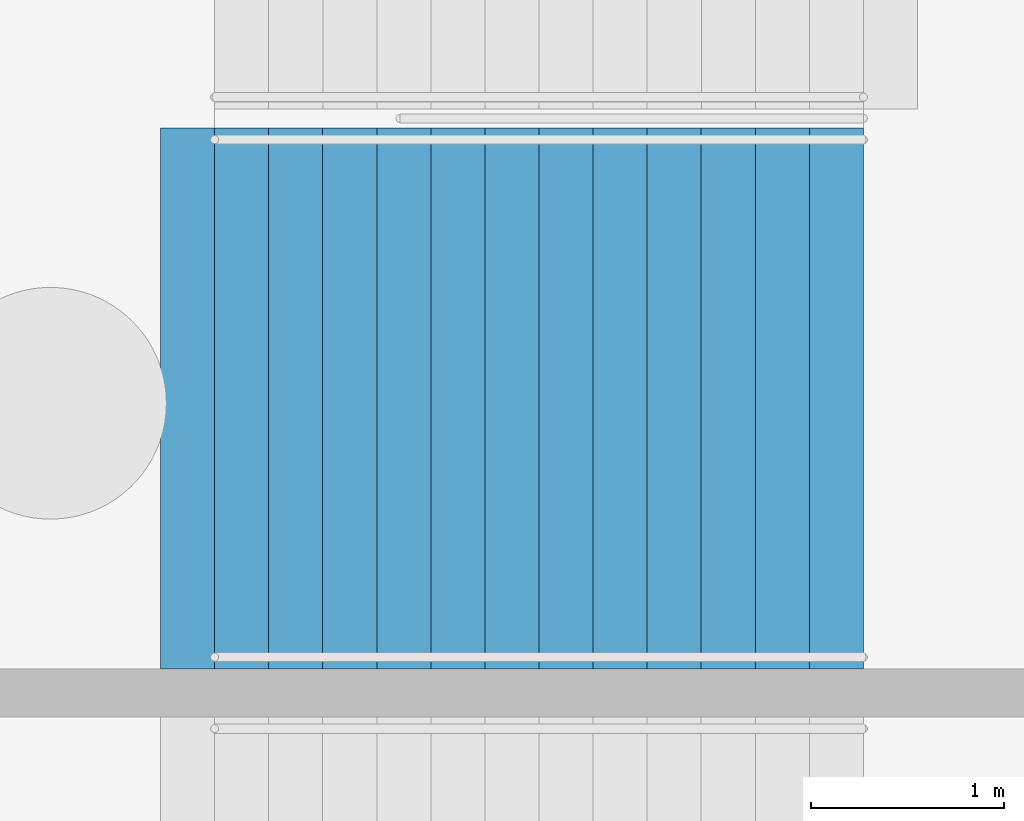
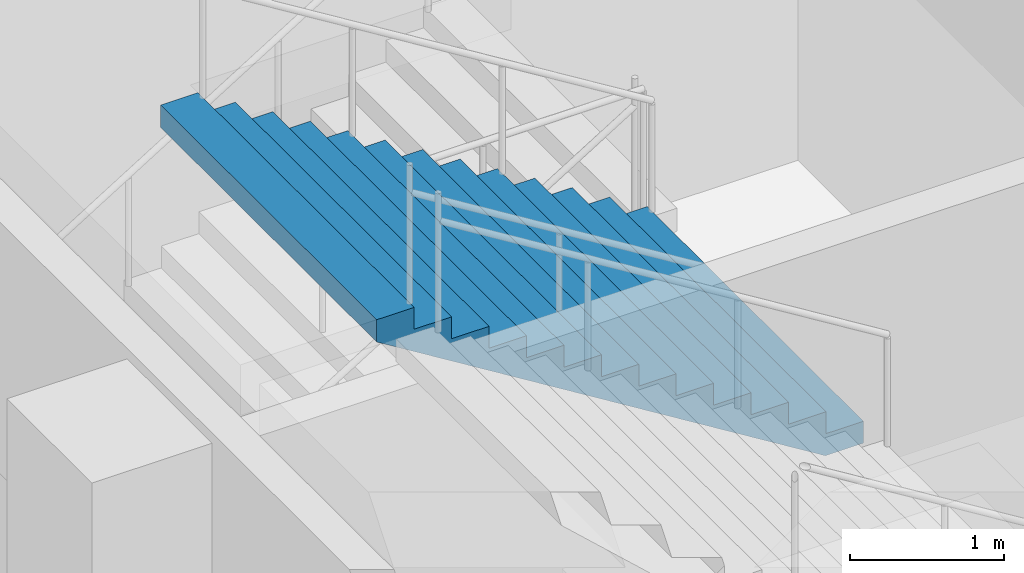
# One storey, part 108 of 115: 1 stair flight, 1 element without a shape of its own.
"""IFC4 building model written with IfcOpenShell, lengths in metres."""

from ifc_helpers import new_model, si_unit, direction, frame, origin, place, context, subcontext, project, spatial, faceted_brep, material, type_object, element, aggregate, save


model = new_model("IFC4")

# Units and contexts
model_context = context("Model", 3, precision=1e-05, world=origin(), true_north=direction((0.0, 1.0)))
body_context = subcontext(model_context, "Body", "Model", "MODEL_VIEW")
ifc_project = project(units=[si_unit("LENGTHUNIT", "METRE"), si_unit("AREAUNIT", "SQUARE_METRE"), si_unit("VOLUMEUNIT", "CUBIC_METRE"), si_unit("PLANEANGLEUNIT", "RADIAN"), si_unit("MASSUNIT", "GRAM", prefix="KILO")], contexts=[model_context])

# Site, building, storey
site_placement = place(None, origin())
site = spatial("IfcSite", under=ifc_project, at=site_placement, CompositionType="ELEMENT")
building_placement = place(site_placement, origin())
building = spatial("IfcBuilding", under=site, at=building_placement, Name="Ogive Plaza Stadium", CompositionType="ELEMENT")
storey_placement = place(building_placement, frame((0.0, 0.0, -4.5)))
storey = spatial("IfcBuildingStorey", under=building, at=storey_placement, Name="B1", CompositionType="ELEMENT", Elevation=-4.5)

# Stair, stair flight
ifc_material_1 = material(Name="Concrete C40/50", Category="concrete")
stair_type = type_object("IfcStairType", Name="Exit stair", PredefinedType="STRAIGHT_RUN_STAIR", material=ifc_material_1)
stair_placement = place(storey_placement, origin())
stair = element("IfcStair", 1, at=stair_placement, inside=storey, type_object=stair_type, Name="Exit stair ST02B B1 to L00", PredefinedType="STRAIGHT_RUN_STAIR")
ifc_material_2 = material(Name="Concrete C40/50", Category="concrete")
stair_flight_type = type_object("IfcStairFlightType", Name="Exit stair flight", PredefinedType="STRAIGHT", material=ifc_material_2)
stair_flight_placement = place(storey_placement, frame((79.7099609375, 39.02490234375, 2.25), z_axis=(0.0, 0.0, 1.0), x_axis=(-1.0, 0.0, 0.0)))
stair_flight = element("IfcStairFlight", 2, at=stair_flight_placement, type_object=stair_flight_type, Name="ST02B flight 2", NumberOfRisers=13, NumberOfTreads=12, PredefinedType="STRAIGHT", RiserHeight=0.173076923, TreadLength=0.28, context=body_context, shape_type="Brep", body=[
    faceted_brep([(0.28515625, -1.39990234375, 0.0), (3.639892578125, -1.39990234375, 2.07373046875), (3.639892578125, -1.39990234375, 2.25), (3.360107421875, -1.39990234375, 2.25), (3.360107421875, -1.39990234375, 2.076904296875), (3.080078125, -1.39990234375, 2.076904296875), (3.080078125, -1.39990234375, 1.90380859375), (2.800048828125, -1.39990234375, 1.90380859375), (2.800048828125, -1.39990234375, 1.730712890625), (2.52001953125, -1.39990234375, 1.730712890625), (2.52001953125, -1.39990234375, 1.5576171875), (2.239990234375, -1.39990234375, 1.5576171875), (2.239990234375, -1.39990234375, 1.384521484375), (1.9599609375, -1.39990234375, 1.384521484375), (1.9599609375, -1.39990234375, 1.21142578125), (1.679931640625, -1.39990234375, 1.21142578125), (1.679931640625, -1.39990234375, 1.03857421875), (1.39990234375, -1.39990234375, 1.03857421875), (1.39990234375, -1.39990234375, 0.865478515625), (1.1201171875, -1.39990234375, 0.865478515625), (1.1201171875, -1.39990234375, 0.6923828125), (0.840087890625, -1.39990234375, 0.6923828125), (0.840087890625, -1.39990234375, 0.519287109375), (0.56005859375, -1.39990234375, 0.519287109375), (0.56005859375, -1.39990234375, 0.34619140625), (0.280029296875, -1.39990234375, 0.34619140625), (0.280029296875, -1.39990234375, 0.173095703125), (0.0, -1.39990234375, 0.173095703125), (0.0, -1.39990234375, 0.0), (0.0, 1.39990234375, 0.0), (0.0, 1.39990234375, 0.173095703125), (0.280029296875, 1.39990234375, 0.173095703125), (0.280029296875, 1.39990234375, 0.34619140625), (0.56005859375, 1.39990234375, 0.34619140625), (0.56005859375, 1.39990234375, 0.519287109375), (0.840087890625, 1.39990234375, 0.519287109375), (0.840087890625, 1.39990234375, 0.6923828125), (1.1201171875, 1.39990234375, 0.6923828125), (1.1201171875, 1.39990234375, 0.865478515625), (1.39990234375, 1.39990234375, 0.865478515625), (1.39990234375, 1.39990234375, 1.03857421875), (1.679931640625, 1.39990234375, 1.03857421875), (1.679931640625, 1.39990234375, 1.21142578125), (1.9599609375, 1.39990234375, 1.21142578125), (1.9599609375, 1.39990234375, 1.384521484375), (2.239990234375, 1.39990234375, 1.384521484375), (2.239990234375, 1.39990234375, 1.5576171875), (2.52001953125, 1.39990234375, 1.5576171875), (2.52001953125, 1.39990234375, 1.730712890625), (2.800048828125, 1.39990234375, 1.730712890625), (2.800048828125, 1.39990234375, 1.90380859375), (3.080078125, 1.39990234375, 1.90380859375), (3.080078125, 1.39990234375, 2.076904296875), (3.360107421875, 1.39990234375, 2.076904296875), (3.360107421875, 1.39990234375, 2.25), (3.639892578125, 1.39990234375, 2.25), (3.639892578125, 1.39990234375, 2.07373046875), (0.28515625, 1.39990234375, 0.0), (0.28515625, -1.0888671875, 0.0), (3.639892578125, -1.0888671875, 2.07373046875), (0.28515625, -0.77783203125, 0.0), (3.639892578125, -0.77783203125, 2.07373046875), (0.28515625, -0.466796875, 0.0), (3.639892578125, -0.466796875, 2.07373046875), (0.28515625, -0.155517578125, 0.0), (3.639892578125, -0.155517578125, 2.07373046875), (0.28515625, 0.155517578125, 0.0), (3.639892578125, 0.155517578125, 2.07373046875), (0.28515625, 0.466796875, 0.0), (3.639892578125, 0.466796875, 2.07373046875), (0.28515625, 0.77783203125, 0.0), (3.639892578125, 0.77783203125, 2.07373046875), (0.28515625, 1.0888671875, 0.0), (3.639892578125, 1.0888671875, 2.07373046875), (3.639892578125, -1.0888671875, 2.25), (3.639892578125, -0.77783203125, 2.25), (3.639892578125, -0.466796875, 2.25), (3.639892578125, -0.155517578125, 2.25), (3.639892578125, 0.155517578125, 2.25), (3.639892578125, 0.466796875, 2.25), (3.639892578125, 0.77783203125, 2.25), (3.639892578125, 1.0888671875, 2.25), (3.360107421875, -1.0888671875, 2.25), (3.360107421875, -0.77783203125, 2.25), (3.360107421875, -0.466796875, 2.25), (3.360107421875, -0.155517578125, 2.25), (3.360107421875, 0.155517578125, 2.25), (3.360107421875, 0.466796875, 2.25), (3.360107421875, 0.77783203125, 2.25), (3.360107421875, 1.0888671875, 2.25), (3.360107421875, -1.0888671875, 2.076904296875), (3.360107421875, -0.77783203125, 2.076904296875), (3.360107421875, -0.466796875, 2.076904296875), (3.360107421875, -0.155517578125, 2.076904296875), (3.360107421875, 0.155517578125, 2.076904296875), (3.360107421875, 0.466796875, 2.076904296875), (3.360107421875, 0.77783203125, 2.076904296875), (3.360107421875, 1.0888671875, 2.076904296875), (3.080078125, -1.0888671875, 2.076904296875), (3.080078125, -0.77783203125, 2.076904296875), (3.080078125, -0.466796875, 2.076904296875), (3.080078125, -0.155517578125, 2.076904296875), (3.080078125, 0.155517578125, 2.076904296875), (3.080078125, 0.466796875, 2.076904296875), (3.080078125, 0.77783203125, 2.076904296875), (3.080078125, 1.0888671875, 2.076904296875), (3.080078125, -1.0888671875, 1.90380859375), (3.080078125, -0.77783203125, 1.90380859375), (3.080078125, -0.466796875, 1.90380859375), (3.080078125, -0.155517578125, 1.90380859375), (3.080078125, 0.155517578125, 1.90380859375), (3.080078125, 0.466796875, 1.90380859375), (3.080078125, 0.77783203125, 1.90380859375), (3.080078125, 1.0888671875, 1.90380859375), (2.800048828125, -1.0888671875, 1.90380859375), (2.800048828125, -0.77783203125, 1.90380859375), (2.800048828125, -0.466796875, 1.90380859375), (2.800048828125, -0.155517578125, 1.90380859375), (2.800048828125, 0.155517578125, 1.90380859375), (2.800048828125, 0.466796875, 1.90380859375), (2.800048828125, 0.77783203125, 1.90380859375), (2.800048828125, 1.0888671875, 1.90380859375), (2.800048828125, -1.0888671875, 1.730712890625), (2.800048828125, -0.77783203125, 1.730712890625), (2.800048828125, -0.466796875, 1.730712890625), (2.800048828125, -0.155517578125, 1.730712890625), (2.800048828125, 0.155517578125, 1.730712890625), (2.800048828125, 0.466796875, 1.730712890625), (2.800048828125, 0.77783203125, 1.730712890625), (2.800048828125, 1.0888671875, 1.730712890625), (2.52001953125, -1.0888671875, 1.730712890625), (2.52001953125, -0.77783203125, 1.730712890625), (2.52001953125, -0.466796875, 1.730712890625), (2.52001953125, -0.155517578125, 1.730712890625), (2.52001953125, 0.155517578125, 1.730712890625), (2.52001953125, 0.466796875, 1.730712890625), (2.52001953125, 0.77783203125, 1.730712890625), (2.52001953125, 1.0888671875, 1.730712890625), (2.52001953125, -1.0888671875, 1.5576171875), (2.52001953125, -0.77783203125, 1.5576171875), (2.52001953125, -0.466796875, 1.5576171875), (2.52001953125, -0.155517578125, 1.5576171875), (2.52001953125, 0.155517578125, 1.5576171875), (2.52001953125, 0.466796875, 1.5576171875), (2.52001953125, 0.77783203125, 1.5576171875), (2.52001953125, 1.0888671875, 1.5576171875), (2.239990234375, -1.0888671875, 1.5576171875), (2.239990234375, -0.77783203125, 1.5576171875), (2.239990234375, -0.466796875, 1.5576171875), (2.239990234375, -0.155517578125, 1.5576171875), (2.239990234375, 0.155517578125, 1.5576171875), (2.239990234375, 0.466796875, 1.5576171875), (2.239990234375, 0.77783203125, 1.5576171875), (2.239990234375, 1.0888671875, 1.5576171875), (2.239990234375, -1.0888671875, 1.384521484375), (2.239990234375, -0.77783203125, 1.384521484375), (2.239990234375, -0.466796875, 1.384521484375), (2.239990234375, -0.155517578125, 1.384521484375), (2.239990234375, 0.155517578125, 1.384521484375), (2.239990234375, 0.466796875, 1.384521484375), (2.239990234375, 0.77783203125, 1.384521484375), (2.239990234375, 1.0888671875, 1.384521484375), (1.9599609375, -1.0888671875, 1.384521484375), (1.9599609375, -0.77783203125, 1.384521484375), (1.9599609375, -0.466796875, 1.384521484375), (1.9599609375, -0.155517578125, 1.384521484375), (1.9599609375, 0.155517578125, 1.384521484375), (1.9599609375, 0.466796875, 1.384521484375), (1.9599609375, 0.77783203125, 1.384521484375), (1.9599609375, 1.0888671875, 1.384521484375), (1.9599609375, -1.0888671875, 1.21142578125), (1.9599609375, -0.77783203125, 1.21142578125), (1.9599609375, -0.466796875, 1.21142578125), (1.9599609375, -0.155517578125, 1.21142578125), (1.9599609375, 0.155517578125, 1.21142578125), (1.9599609375, 0.466796875, 1.21142578125), (1.9599609375, 0.77783203125, 1.21142578125), (1.9599609375, 1.0888671875, 1.21142578125), (1.679931640625, -1.0888671875, 1.21142578125), (1.679931640625, -0.77783203125, 1.21142578125), (1.679931640625, -0.466796875, 1.21142578125), (1.679931640625, -0.155517578125, 1.21142578125), (1.679931640625, 0.155517578125, 1.21142578125), (1.679931640625, 0.466796875, 1.21142578125), (1.679931640625, 0.77783203125, 1.21142578125), (1.679931640625, 1.0888671875, 1.21142578125), (1.679931640625, -1.0888671875, 1.03857421875), (1.679931640625, -0.77783203125, 1.03857421875), (1.679931640625, -0.466796875, 1.03857421875), (1.679931640625, -0.155517578125, 1.03857421875), (1.679931640625, 0.155517578125, 1.03857421875), (1.679931640625, 0.466796875, 1.03857421875), (1.679931640625, 0.77783203125, 1.03857421875), (1.679931640625, 1.0888671875, 1.03857421875), (1.39990234375, -1.0888671875, 1.03857421875), (1.39990234375, -0.77783203125, 1.03857421875), (1.39990234375, -0.466796875, 1.03857421875), (1.39990234375, -0.155517578125, 1.03857421875), (1.39990234375, 0.155517578125, 1.03857421875), (1.39990234375, 0.466796875, 1.03857421875), (1.39990234375, 0.77783203125, 1.03857421875), (1.39990234375, 1.0888671875, 1.03857421875), (1.39990234375, -1.0888671875, 0.865478515625), (1.39990234375, -0.77783203125, 0.865478515625), (1.39990234375, -0.466796875, 0.865478515625), (1.39990234375, -0.155517578125, 0.865478515625), (1.39990234375, 0.155517578125, 0.865478515625), (1.39990234375, 0.466796875, 0.865478515625), (1.39990234375, 0.77783203125, 0.865478515625), (1.39990234375, 1.0888671875, 0.865478515625), (1.1201171875, -1.0888671875, 0.865478515625), (1.1201171875, -0.77783203125, 0.865478515625), (1.1201171875, -0.466796875, 0.865478515625), (1.1201171875, -0.155517578125, 0.865478515625), (1.1201171875, 0.155517578125, 0.865478515625), (1.1201171875, 0.466796875, 0.865478515625), (1.1201171875, 0.77783203125, 0.865478515625), (1.1201171875, 1.0888671875, 0.865478515625), (1.1201171875, -1.0888671875, 0.6923828125), (1.1201171875, -0.77783203125, 0.6923828125), (1.1201171875, -0.466796875, 0.6923828125), (1.1201171875, -0.155517578125, 0.6923828125), (1.1201171875, 0.155517578125, 0.6923828125), (1.1201171875, 0.466796875, 0.6923828125), (1.1201171875, 0.77783203125, 0.6923828125), (1.1201171875, 1.0888671875, 0.6923828125), (0.840087890625, -1.0888671875, 0.6923828125), (0.840087890625, -0.77783203125, 0.6923828125), (0.840087890625, -0.466796875, 0.6923828125), (0.840087890625, -0.155517578125, 0.6923828125), (0.840087890625, 0.155517578125, 0.6923828125), (0.840087890625, 0.466796875, 0.6923828125), (0.840087890625, 0.77783203125, 0.6923828125), (0.840087890625, 1.0888671875, 0.6923828125), (0.840087890625, -1.0888671875, 0.519287109375), (0.840087890625, -0.77783203125, 0.519287109375), (0.840087890625, -0.466796875, 0.519287109375), (0.840087890625, -0.155517578125, 0.519287109375), (0.840087890625, 0.155517578125, 0.519287109375), (0.840087890625, 0.466796875, 0.519287109375), (0.840087890625, 0.77783203125, 0.519287109375), (0.840087890625, 1.0888671875, 0.519287109375), (0.56005859375, -1.0888671875, 0.519287109375), (0.56005859375, -0.77783203125, 0.519287109375), (0.56005859375, -0.466796875, 0.519287109375), (0.56005859375, -0.155517578125, 0.519287109375), (0.56005859375, 0.155517578125, 0.519287109375), (0.56005859375, 0.466796875, 0.519287109375), (0.56005859375, 0.77783203125, 0.519287109375), (0.56005859375, 1.0888671875, 0.519287109375), (0.56005859375, -1.0888671875, 0.34619140625), (0.56005859375, -0.77783203125, 0.34619140625), (0.56005859375, -0.466796875, 0.34619140625), (0.56005859375, -0.155517578125, 0.34619140625), (0.56005859375, 0.155517578125, 0.34619140625), (0.56005859375, 0.466796875, 0.34619140625), (0.56005859375, 0.77783203125, 0.34619140625), (0.56005859375, 1.0888671875, 0.34619140625), (0.280029296875, -1.0888671875, 0.34619140625), (0.280029296875, -0.77783203125, 0.34619140625), (0.280029296875, -0.466796875, 0.34619140625), (0.280029296875, -0.155517578125, 0.34619140625), (0.280029296875, 0.155517578125, 0.34619140625), (0.280029296875, 0.466796875, 0.34619140625), (0.280029296875, 0.77783203125, 0.34619140625), (0.280029296875, 1.0888671875, 0.34619140625), (0.280029296875, -1.0888671875, 0.173095703125), (0.280029296875, -0.77783203125, 0.173095703125), (0.280029296875, -0.466796875, 0.173095703125), (0.280029296875, -0.155517578125, 0.173095703125), (0.280029296875, 0.155517578125, 0.173095703125), (0.280029296875, 0.466796875, 0.173095703125), (0.280029296875, 0.77783203125, 0.173095703125), (0.280029296875, 1.0888671875, 0.173095703125), (0.0, -1.0888671875, 0.173095703125), (0.0, -0.77783203125, 0.173095703125), (0.0, -0.466796875, 0.173095703125), (0.0, -0.155517578125, 0.173095703125), (0.0, 0.155517578125, 0.173095703125), (0.0, 0.466796875, 0.173095703125), (0.0, 0.77783203125, 0.173095703125), (0.0, 1.0888671875, 0.173095703125), (0.0, -1.0888671875, 0.0), (0.0, -0.77783203125, 0.0), (0.0, -0.466796875, 0.0), (0.0, -0.155517578125, 0.0), (0.0, 0.155517578125, 0.0), (0.0, 0.466796875, 0.0), (0.0, 0.77783203125, 0.0), (0.0, 1.0888671875, 0.0)], [[[0, 1, 2, 3, 4, 5, 6, 7, 8, 9, 10, 11, 12, 13, 14, 15, 16, 17, 18, 19, 20, 21, 22, 23, 24, 25, 26, 27, 28]], [[29, 30, 31, 32, 33, 34, 35, 36, 37, 38, 39, 40, 41, 42, 43, 44, 45, 46, 47, 48, 49, 50, 51, 52, 53, 54, 55, 56, 57]], [[0, 58, 59, 1]], [[58, 60, 61, 59]], [[60, 62, 63, 61]], [[62, 64, 65, 63]], [[64, 66, 67, 65]], [[66, 68, 69, 67]], [[68, 70, 71, 69]], [[70, 72, 73, 71]], [[72, 57, 56, 73]], [[1, 59, 74, 2]], [[59, 61, 75, 74]], [[61, 63, 76, 75]], [[63, 65, 77, 76]], [[65, 67, 78, 77]], [[67, 69, 79, 78]], [[69, 71, 80, 79]], [[71, 73, 81, 80]], [[73, 56, 55, 81]], [[2, 74, 82, 3]], [[74, 75, 83, 82]], [[75, 76, 84, 83]], [[76, 77, 85, 84]], [[77, 78, 86, 85]], [[78, 79, 87, 86]], [[79, 80, 88, 87]], [[80, 81, 89, 88]], [[81, 55, 54, 89]], [[3, 82, 90, 4]], [[82, 83, 91, 90]], [[83, 84, 92, 91]], [[84, 85, 93, 92]], [[85, 86, 94, 93]], [[86, 87, 95, 94]], [[87, 88, 96, 95]], [[88, 89, 97, 96]], [[89, 54, 53, 97]], [[4, 90, 98, 5]], [[90, 91, 99, 98]], [[91, 92, 100, 99]], [[92, 93, 101, 100]], [[93, 94, 102, 101]], [[94, 95, 103, 102]], [[95, 96, 104, 103]], [[96, 97, 105, 104]], [[97, 53, 52, 105]], [[5, 98, 106, 6]], [[98, 99, 107, 106]], [[99, 100, 108, 107]], [[100, 101, 109, 108]], [[101, 102, 110, 109]], [[102, 103, 111, 110]], [[103, 104, 112, 111]], [[104, 105, 113, 112]], [[105, 52, 51, 113]], [[6, 106, 114, 7]], [[106, 107, 115, 114]], [[107, 108, 116, 115]], [[108, 109, 117, 116]], [[109, 110, 118, 117]], [[110, 111, 119, 118]], [[111, 112, 120, 119]], [[112, 113, 121, 120]], [[113, 51, 50, 121]], [[7, 114, 122, 8]], [[114, 115, 123, 122]], [[115, 116, 124, 123]], [[116, 117, 125, 124]], [[117, 118, 126, 125]], [[118, 119, 127, 126]], [[119, 120, 128, 127]], [[120, 121, 129, 128]], [[121, 50, 49, 129]], [[8, 122, 130, 9]], [[122, 123, 131, 130]], [[123, 124, 132, 131]], [[124, 125, 133, 132]], [[125, 126, 134, 133]], [[126, 127, 135, 134]], [[127, 128, 136, 135]], [[128, 129, 137, 136]], [[129, 49, 48, 137]], [[9, 130, 138, 10]], [[130, 131, 139, 138]], [[131, 132, 140, 139]], [[132, 133, 141, 140]], [[133, 134, 142, 141]], [[134, 135, 143, 142]], [[135, 136, 144, 143]], [[136, 137, 145, 144]], [[137, 48, 47, 145]], [[10, 138, 146, 11]], [[138, 139, 147, 146]], [[139, 140, 148, 147]], [[140, 141, 149, 148]], [[141, 142, 150, 149]], [[142, 143, 151, 150]], [[143, 144, 152, 151]], [[144, 145, 153, 152]], [[145, 47, 46, 153]], [[11, 146, 154, 12]], [[146, 147, 155, 154]], [[147, 148, 156, 155]], [[148, 149, 157, 156]], [[149, 150, 158, 157]], [[150, 151, 159, 158]], [[151, 152, 160, 159]], [[152, 153, 161, 160]], [[153, 46, 45, 161]], [[12, 154, 162, 13]], [[154, 155, 163, 162]], [[155, 156, 164, 163]], [[156, 157, 165, 164]], [[157, 158, 166, 165]], [[158, 159, 167, 166]], [[159, 160, 168, 167]], [[160, 161, 169, 168]], [[161, 45, 44, 169]], [[13, 162, 170, 14]], [[162, 163, 171, 170]], [[163, 164, 172, 171]], [[164, 165, 173, 172]], [[165, 166, 174, 173]], [[166, 167, 175, 174]], [[167, 168, 176, 175]], [[168, 169, 177, 176]], [[169, 44, 43, 177]], [[14, 170, 178, 15]], [[170, 171, 179, 178]], [[171, 172, 180, 179]], [[172, 173, 181, 180]], [[173, 174, 182, 181]], [[174, 175, 183, 182]], [[175, 176, 184, 183]], [[176, 177, 185, 184]], [[177, 43, 42, 185]], [[15, 178, 186, 16]], [[178, 179, 187, 186]], [[179, 180, 188, 187]], [[180, 181, 189, 188]], [[181, 182, 190, 189]], [[182, 183, 191, 190]], [[183, 184, 192, 191]], [[184, 185, 193, 192]], [[185, 42, 41, 193]], [[16, 186, 194, 17]], [[186, 187, 195, 194]], [[187, 188, 196, 195]], [[188, 189, 197, 196]], [[189, 190, 198, 197]], [[190, 191, 199, 198]], [[191, 192, 200, 199]], [[192, 193, 201, 200]], [[193, 41, 40, 201]], [[17, 194, 202, 18]], [[194, 195, 203, 202]], [[195, 196, 204, 203]], [[196, 197, 205, 204]], [[197, 198, 206, 205]], [[198, 199, 207, 206]], [[199, 200, 208, 207]], [[200, 201, 209, 208]], [[201, 40, 39, 209]], [[18, 202, 210, 19]], [[202, 203, 211, 210]], [[203, 204, 212, 211]], [[204, 205, 213, 212]], [[205, 206, 214, 213]], [[206, 207, 215, 214]], [[207, 208, 216, 215]], [[208, 209, 217, 216]], [[209, 39, 38, 217]], [[19, 210, 218, 20]], [[210, 211, 219, 218]], [[211, 212, 220, 219]], [[212, 213, 221, 220]], [[213, 214, 222, 221]], [[214, 215, 223, 222]], [[215, 216, 224, 223]], [[216, 217, 225, 224]], [[217, 38, 37, 225]], [[20, 218, 226, 21]], [[218, 219, 227, 226]], [[219, 220, 228, 227]], [[220, 221, 229, 228]], [[221, 222, 230, 229]], [[222, 223, 231, 230]], [[223, 224, 232, 231]], [[224, 225, 233, 232]], [[225, 37, 36, 233]], [[21, 226, 234, 22]], [[226, 227, 235, 234]], [[227, 228, 236, 235]], [[228, 229, 237, 236]], [[229, 230, 238, 237]], [[230, 231, 239, 238]], [[231, 232, 240, 239]], [[232, 233, 241, 240]], [[233, 36, 35, 241]], [[22, 234, 242, 23]], [[234, 235, 243, 242]], [[235, 236, 244, 243]], [[236, 237, 245, 244]], [[237, 238, 246, 245]], [[238, 239, 247, 246]], [[239, 240, 248, 247]], [[240, 241, 249, 248]], [[241, 35, 34, 249]], [[23, 242, 250, 24]], [[242, 243, 251, 250]], [[243, 244, 252, 251]], [[244, 245, 253, 252]], [[245, 246, 254, 253]], [[246, 247, 255, 254]], [[247, 248, 256, 255]], [[248, 249, 257, 256]], [[249, 34, 33, 257]], [[24, 250, 258, 25]], [[250, 251, 259, 258]], [[251, 252, 260, 259]], [[252, 253, 261, 260]], [[253, 254, 262, 261]], [[254, 255, 263, 262]], [[255, 256, 264, 263]], [[256, 257, 265, 264]], [[257, 33, 32, 265]], [[25, 258, 266, 26]], [[258, 259, 267, 266]], [[259, 260, 268, 267]], [[260, 261, 269, 268]], [[261, 262, 270, 269]], [[262, 263, 271, 270]], [[263, 264, 272, 271]], [[264, 265, 273, 272]], [[265, 32, 31, 273]], [[26, 266, 274, 27]], [[266, 267, 275, 274]], [[267, 268, 276, 275]], [[268, 269, 277, 276]], [[269, 270, 278, 277]], [[270, 271, 279, 278]], [[271, 272, 280, 279]], [[272, 273, 281, 280]], [[273, 31, 30, 281]], [[27, 274, 282, 28]], [[274, 275, 283, 282]], [[275, 276, 284, 283]], [[276, 277, 285, 284]], [[277, 278, 286, 285]], [[278, 279, 287, 286]], [[279, 280, 288, 287]], [[280, 281, 289, 288]], [[281, 30, 29, 289]], [[28, 282, 58, 0]], [[282, 283, 60, 58]], [[283, 284, 62, 60]], [[284, 285, 64, 62]], [[285, 286, 66, 64]], [[286, 287, 68, 66]], [[287, 288, 70, 68]], [[288, 289, 72, 70]], [[289, 29, 57, 72]]]),
])
aggregate(stair, [stair_flight])

save(model, "model.ifc")
